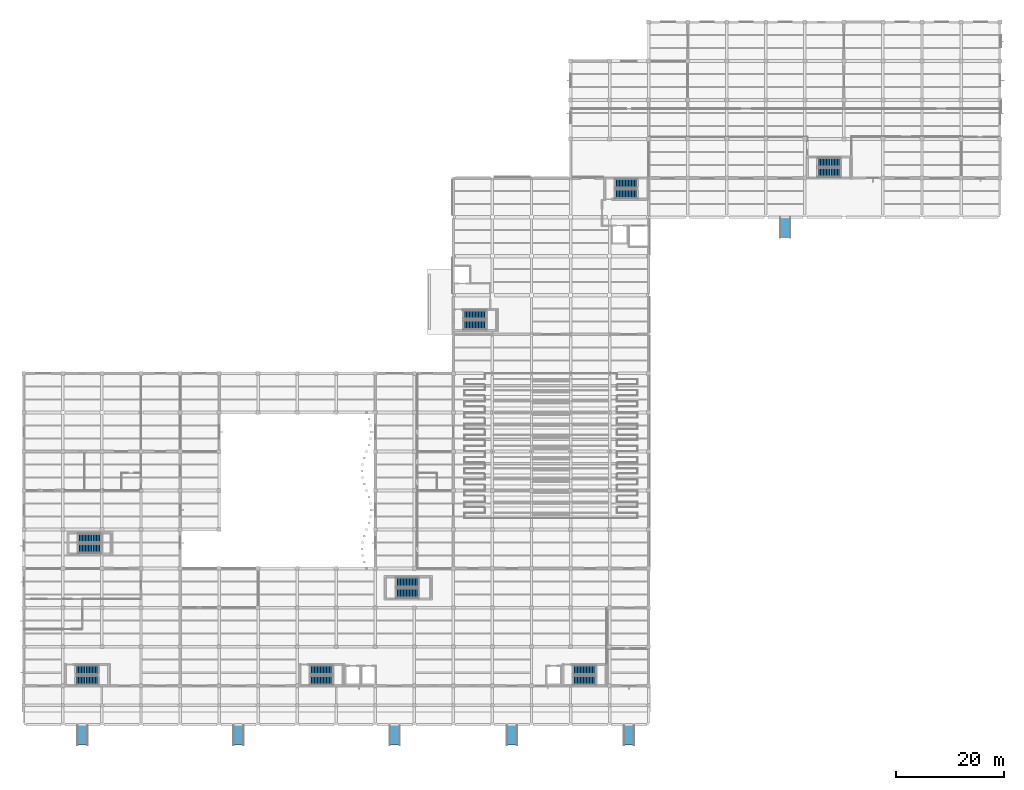
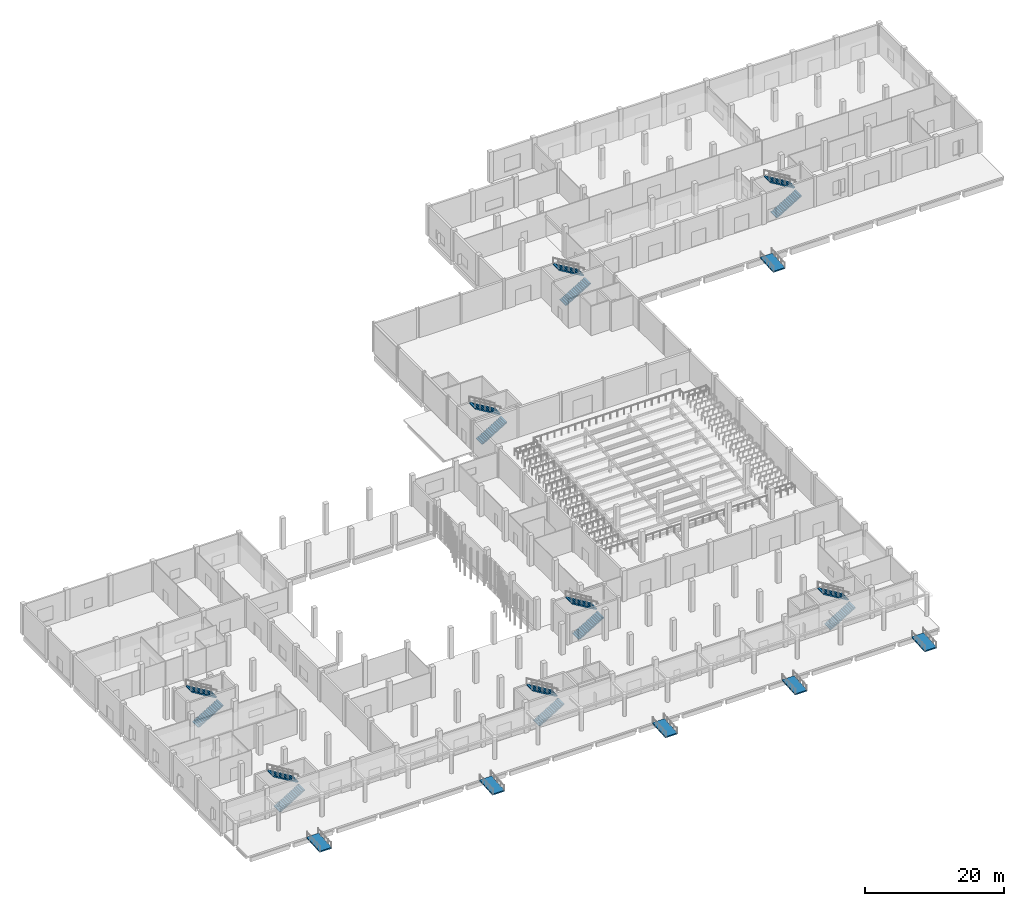
# One storey, part 31 of 46: 16 stair flights, 6 ramp flights, 14 elements without a shape of their own.
"""IFC4 building model written with IfcOpenShell, lengths in metres."""

from ifc_helpers import new_model, si_unit, direction, frame, origin, place, context, subcontext, project, spatial, polyline, outline, extrude, material, layer, layer_set, type_object, element, aggregate, save


model = new_model("IFC4")

# Units and contexts
model_context = context("Model", 3, precision=1e-05, world=origin(), true_north=direction((0.0, 1.0)))
body_context = subcontext(model_context, "Body", "Model", "MODEL_VIEW")
ifc_project = project(units=[si_unit("LENGTHUNIT", "METRE"), si_unit("AREAUNIT", "SQUARE_METRE"), si_unit("VOLUMEUNIT", "CUBIC_METRE"), si_unit("PLANEANGLEUNIT", "RADIAN"), si_unit("MASSUNIT", "GRAM", prefix="KILO"), si_unit("THERMODYNAMICTEMPERATUREUNIT", "KELVIN"), si_unit("POWERUNIT", "WATT")], contexts=[model_context])

# Site, building, storey
site_placement = place(None, origin())
site = spatial("IfcSite", under=ifc_project, at=site_placement, CompositionType="ELEMENT")
building_placement = place(site_placement, origin())
building = spatial("IfcBuilding", under=site, at=building_placement, Name="Kaldorven Railside Theatre", CompositionType="ELEMENT")
storey_placement = place(building_placement, origin())
storey = spatial("IfcBuildingStorey", under=building, at=storey_placement, Name="L00", CompositionType="ELEMENT", Elevation=0.0)

# Stair, stair flights
ifc_material = material(Name="Concrete C35/45", Category="concrete")
stair_type_1 = type_object("IfcStairType", Name="STR-DL-02", PredefinedType="HALF_TURN_STAIR", material=ifc_material)
stair_1_placement = place(storey_placement, origin())
stair_1 = element("IfcStair", 1, at=stair_1_placement, inside=storey, type_object=stair_type_1, Name="L00 Core C-SW Escape Stair ST-01", PredefinedType="HALF_TURN_STAIR")
stair_flight_type_1 = type_object("IfcStairFlightType", Name="STF-DL-02", PredefinedType="STRAIGHT", material=ifc_material)
stair_flight_1_placement = place(storey_placement, frame((17.550048828125, 20.199951171875, 0.0), z_axis=(0.0, 0.0, 1.0), x_axis=(1.0, 0.0, 0.0)))
stair_flight_1 = element("IfcStairFlight", 2, at=stair_flight_1_placement, type_object=stair_flight_type_1, Name="ST-01 flight 1", NumberOfRisers=16, NumberOfTreads=15, PredefinedType="STRAIGHT", RiserHeight=0.16875, TreadLength=0.28, context=body_context, shape_type="SweptSolid", body=[
    extrude(outline(polyline([(0.0, 0.0), (0.0, 0.168701171875), (0.280029296875, 0.168701171875), (0.280029296875, 0.33740234375), (0.56005859375, 0.33740234375), (0.56005859375, 0.50634765625), (0.840087890625, 0.50634765625), (0.840087890625, 0.675048828125), (1.1201171875, 0.675048828125), (1.1201171875, 0.84375), (1.39990234375, 0.84375), (1.39990234375, 1.012451171875), (1.679931640625, 1.012451171875), (1.679931640625, 1.18115234375), (1.9599609375, 1.18115234375), (1.9599609375, 1.35009765625), (2.239990234375, 1.35009765625), (2.239990234375, 1.518798828125), (2.52001953125, 1.518798828125), (2.52001953125, 1.6875), (2.800048828125, 1.6875), (2.800048828125, 1.856201171875), (3.080078125, 1.856201171875), (3.080078125, 2.02490234375), (3.360107421875, 2.02490234375), (3.360107421875, 2.19384765625), (3.639892578125, 2.19384765625), (3.639892578125, 2.362548828125), (3.919921875, 2.362548828125), (3.919921875, 2.53125), (4.199951171875, 2.53125), (4.199951171875, 2.699951171875), (4.199951171875, 2.356201171875), (0.29052734375, 0.0), (0.0, 0.0)])), frame((0.0, 0.85009765625, 0.0), z_axis=(0.0, -1.0, 0.0), x_axis=(1.0, 0.0, 0.0)), (0.0, 0.0, 1.0), 1.699951171875),
])
stair_flight_2_placement = place(storey_placement, frame((21.75, 22.10009765625, 2.699951171875), z_axis=(0.0, 0.0, 1.0), x_axis=(-1.0, 0.0, 0.0)))
stair_flight_2 = element("IfcStairFlight", 3, at=stair_flight_2_placement, type_object=stair_flight_type_1, Name="ST-01 flight 2", NumberOfRisers=16, NumberOfTreads=15, PredefinedType="STRAIGHT", RiserHeight=0.16875, TreadLength=0.28, context=body_context, shape_type="SweptSolid", body=[
    extrude(outline(polyline([(0.0, 0.0), (0.0, 0.168701171875), (0.280029296875, 0.168701171875), (0.280029296875, 0.33740234375), (0.56005859375, 0.33740234375), (0.56005859375, 0.50634765625), (0.840087890625, 0.50634765625), (0.840087890625, 0.675048828125), (1.1201171875, 0.675048828125), (1.1201171875, 0.84375), (1.39990234375, 0.84375), (1.39990234375, 1.012451171875), (1.679931640625, 1.012451171875), (1.679931640625, 1.18115234375), (1.9599609375, 1.18115234375), (1.9599609375, 1.35009765625), (2.239990234375, 1.35009765625), (2.239990234375, 1.518798828125), (2.52001953125, 1.518798828125), (2.52001953125, 1.6875), (2.800048828125, 1.6875), (2.800048828125, 1.856201171875), (3.080078125, 1.856201171875), (3.080078125, 2.02490234375), (3.360107421875, 2.02490234375), (3.360107421875, 2.19384765625), (3.639892578125, 2.19384765625), (3.639892578125, 2.362548828125), (3.919921875, 2.362548828125), (3.919921875, 2.53125), (4.199951171875, 2.53125), (4.199951171875, 2.699951171875), (4.199951171875, 2.356201171875), (0.29052734375, 0.0), (0.0, 0.0)])), frame((0.0, 0.85009765625, 0.0), z_axis=(0.0, -1.0, 0.0), x_axis=(1.0, 0.0, 0.0)), (0.0, 0.0, 1.0), 1.699951171875),
])
aggregate(stair_1, [stair_flight_1, stair_flight_2])

stair_2_placement = place(storey_placement, origin())
stair_2 = element("IfcStair", 4, at=stair_2_placement, inside=storey, type_object=stair_type_1, Name="L00 Core C-NW Escape Stair ST-02", PredefinedType="HALF_TURN_STAIR")
stair_flight_3_placement = place(storey_placement, frame((18.0, 44.5, 0.0), z_axis=(0.0, 0.0, 1.0), x_axis=(1.0, 0.0, 0.0)))
stair_flight_3 = element("IfcStairFlight", 5, at=stair_flight_3_placement, type_object=stair_flight_type_1, Name="ST-02 flight 1", NumberOfRisers=16, NumberOfTreads=15, PredefinedType="STRAIGHT", RiserHeight=0.16875, TreadLength=0.28, context=body_context, shape_type="SweptSolid", body=[
    extrude(outline(polyline([(0.0, 0.0), (0.0, 0.168701171875), (0.280029296875, 0.168701171875), (0.280029296875, 0.33740234375), (0.56005859375, 0.33740234375), (0.56005859375, 0.50634765625), (0.840087890625, 0.50634765625), (0.840087890625, 0.675048828125), (1.1201171875, 0.675048828125), (1.1201171875, 0.84375), (1.39990234375, 0.84375), (1.39990234375, 1.012451171875), (1.679931640625, 1.012451171875), (1.679931640625, 1.18115234375), (1.9599609375, 1.18115234375), (1.9599609375, 1.35009765625), (2.239990234375, 1.35009765625), (2.239990234375, 1.518798828125), (2.52001953125, 1.518798828125), (2.52001953125, 1.6875), (2.800048828125, 1.6875), (2.800048828125, 1.856201171875), (3.080078125, 1.856201171875), (3.080078125, 2.02490234375), (3.360107421875, 2.02490234375), (3.360107421875, 2.19384765625), (3.639892578125, 2.19384765625), (3.639892578125, 2.362548828125), (3.919921875, 2.362548828125), (3.919921875, 2.53125), (4.199951171875, 2.53125), (4.199951171875, 2.699951171875), (4.199951171875, 2.356201171875), (0.29052734375, 0.0), (0.0, 0.0)])), frame((0.0, 0.85009765625, 0.0), z_axis=(0.0, -1.0, 0.0), x_axis=(1.0, 0.0, 0.0)), (0.0, 0.0, 1.0), 1.699951171875),
])
stair_flight_4_placement = place(storey_placement, frame((22.199951171875, 46.39990234375, 2.699951171875), z_axis=(0.0, 0.0, 1.0), x_axis=(-1.0, 0.0, 0.0)))
stair_flight_4 = element("IfcStairFlight", 6, at=stair_flight_4_placement, type_object=stair_flight_type_1, Name="ST-02 flight 2", NumberOfRisers=16, NumberOfTreads=15, PredefinedType="STRAIGHT", RiserHeight=0.16875, TreadLength=0.28, context=body_context, shape_type="SweptSolid", body=[
    extrude(outline(polyline([(0.0, 0.0), (0.0, 0.168701171875), (0.280029296875, 0.168701171875), (0.280029296875, 0.33740234375), (0.56005859375, 0.33740234375), (0.56005859375, 0.50634765625), (0.840087890625, 0.50634765625), (0.840087890625, 0.675048828125), (1.1201171875, 0.675048828125), (1.1201171875, 0.84375), (1.39990234375, 0.84375), (1.39990234375, 1.012451171875), (1.679931640625, 1.012451171875), (1.679931640625, 1.18115234375), (1.9599609375, 1.18115234375), (1.9599609375, 1.35009765625), (2.239990234375, 1.35009765625), (2.239990234375, 1.518798828125), (2.52001953125, 1.518798828125), (2.52001953125, 1.6875), (2.800048828125, 1.6875), (2.800048828125, 1.856201171875), (3.080078125, 1.856201171875), (3.080078125, 2.02490234375), (3.360107421875, 2.02490234375), (3.360107421875, 2.19384765625), (3.639892578125, 2.19384765625), (3.639892578125, 2.362548828125), (3.919921875, 2.362548828125), (3.919921875, 2.53125), (4.199951171875, 2.53125), (4.199951171875, 2.699951171875), (4.199951171875, 2.356201171875), (0.29052734375, 0.0), (0.0, 0.0)])), frame((0.0, 0.85009765625, 0.0), z_axis=(0.0, -1.0, 0.0), x_axis=(1.0, 0.0, 0.0)), (0.0, 0.0, 1.0), 1.699951171875),
])
aggregate(stair_2, [stair_flight_3, stair_flight_4])

stair_3_placement = place(storey_placement, origin())
stair_3 = element("IfcStair", 7, at=stair_3_placement, inside=storey, type_object=stair_type_1, Name="L00 Core C-FS Escape Stair ST-03", PredefinedType="HALF_TURN_STAIR")
stair_flight_5_placement = place(storey_placement, frame((60.75, 20.199951171875, 0.0), z_axis=(0.0, 0.0, 1.0), x_axis=(1.0, 0.0, 0.0)))
stair_flight_5 = element("IfcStairFlight", 8, at=stair_flight_5_placement, type_object=stair_flight_type_1, Name="ST-03 flight 1", NumberOfRisers=16, NumberOfTreads=15, PredefinedType="STRAIGHT", RiserHeight=0.16875, TreadLength=0.28, context=body_context, shape_type="SweptSolid", body=[
    extrude(outline(polyline([(0.0, 0.0), (0.0, 0.168701171875), (0.280029296875, 0.168701171875), (0.280029296875, 0.33740234375), (0.56005859375, 0.33740234375), (0.56005859375, 0.50634765625), (0.840087890625, 0.50634765625), (0.840087890625, 0.675048828125), (1.1201171875, 0.675048828125), (1.1201171875, 0.84375), (1.39990234375, 0.84375), (1.39990234375, 1.012451171875), (1.679931640625, 1.012451171875), (1.679931640625, 1.18115234375), (1.9599609375, 1.18115234375), (1.9599609375, 1.35009765625), (2.239990234375, 1.35009765625), (2.239990234375, 1.518798828125), (2.52001953125, 1.518798828125), (2.52001953125, 1.6875), (2.800048828125, 1.6875), (2.800048828125, 1.856201171875), (3.080078125, 1.856201171875), (3.080078125, 2.02490234375), (3.360107421875, 2.02490234375), (3.360107421875, 2.19384765625), (3.639892578125, 2.19384765625), (3.639892578125, 2.362548828125), (3.919921875, 2.362548828125), (3.919921875, 2.53125), (4.199951171875, 2.53125), (4.199951171875, 2.699951171875), (4.199951171875, 2.356201171875), (0.29052734375, 0.0), (0.0, 0.0)])), frame((0.0, 0.85009765625, 0.0), z_axis=(0.0, -1.0, 0.0), x_axis=(1.0, 0.0, 0.0)), (0.0, 0.0, 1.0), 1.699951171875),
])
stair_flight_6_placement = place(storey_placement, frame((64.949951171875, 22.10009765625, 2.699951171875), z_axis=(0.0, 0.0, 1.0), x_axis=(-1.0, 0.0, 0.0)))
stair_flight_6 = element("IfcStairFlight", 9, at=stair_flight_6_placement, type_object=stair_flight_type_1, Name="ST-03 flight 2", NumberOfRisers=16, NumberOfTreads=15, PredefinedType="STRAIGHT", RiserHeight=0.16875, TreadLength=0.28, context=body_context, shape_type="SweptSolid", body=[
    extrude(outline(polyline([(0.0, 0.0), (0.0, 0.168701171875), (0.280029296875, 0.168701171875), (0.280029296875, 0.33740234375), (0.56005859375, 0.33740234375), (0.56005859375, 0.50634765625), (0.840087890625, 0.50634765625), (0.840087890625, 0.675048828125), (1.1201171875, 0.675048828125), (1.1201171875, 0.84375), (1.39990234375, 0.84375), (1.39990234375, 1.012451171875), (1.679931640625, 1.012451171875), (1.679931640625, 1.18115234375), (1.9599609375, 1.18115234375), (1.9599609375, 1.35009765625), (2.239990234375, 1.35009765625), (2.239990234375, 1.518798828125), (2.52001953125, 1.518798828125), (2.52001953125, 1.6875), (2.800048828125, 1.6875), (2.800048828125, 1.856201171875), (3.080078125, 1.856201171875), (3.080078125, 2.02490234375), (3.360107421875, 2.02490234375), (3.360107421875, 2.19384765625), (3.639892578125, 2.19384765625), (3.639892578125, 2.362548828125), (3.919921875, 2.362548828125), (3.919921875, 2.53125), (4.199951171875, 2.53125), (4.199951171875, 2.699951171875), (4.199951171875, 2.356201171875), (0.29052734375, 0.0), (0.0, 0.0)])), frame((0.0, 0.85009765625, 0.0), z_axis=(0.0, -1.0, 0.0), x_axis=(1.0, 0.0, 0.0)), (0.0, 0.0, 1.0), 1.699951171875),
])
aggregate(stair_3, [stair_flight_5, stair_flight_6])

stair_4_placement = place(storey_placement, origin())
stair_4 = element("IfcStair", 10, at=stair_4_placement, inside=storey, type_object=stair_type_1, Name="L00 Core C-SE Escape Stair ST-04", PredefinedType="HALF_TURN_STAIR")
stair_flight_7_placement = place(storey_placement, frame((109.25, 20.199951171875, 0.0), z_axis=(0.0, 0.0, 1.0), x_axis=(1.0, 0.0, 0.0)))
stair_flight_7 = element("IfcStairFlight", 11, at=stair_flight_7_placement, type_object=stair_flight_type_1, Name="ST-04 flight 1", NumberOfRisers=16, NumberOfTreads=15, PredefinedType="STRAIGHT", RiserHeight=0.16875, TreadLength=0.28, context=body_context, shape_type="SweptSolid", body=[
    extrude(outline(polyline([(0.0, 0.0), (0.0, 0.168701171875), (0.280029296875, 0.168701171875), (0.280029296875, 0.33740234375), (0.56005859375, 0.33740234375), (0.56005859375, 0.50634765625), (0.840087890625, 0.50634765625), (0.840087890625, 0.675048828125), (1.1201171875, 0.675048828125), (1.1201171875, 0.84375), (1.39990234375, 0.84375), (1.39990234375, 1.012451171875), (1.679931640625, 1.012451171875), (1.679931640625, 1.18115234375), (1.9599609375, 1.18115234375), (1.9599609375, 1.35009765625), (2.239990234375, 1.35009765625), (2.239990234375, 1.518798828125), (2.52001953125, 1.518798828125), (2.52001953125, 1.6875), (2.800048828125, 1.6875), (2.800048828125, 1.856201171875), (3.080078125, 1.856201171875), (3.080078125, 2.02490234375), (3.360107421875, 2.02490234375), (3.360107421875, 2.19384765625), (3.639892578125, 2.19384765625), (3.639892578125, 2.362548828125), (3.919921875, 2.362548828125), (3.919921875, 2.53125), (4.199951171875, 2.53125), (4.199951171875, 2.699951171875), (4.199951171875, 2.356201171875), (0.29052734375, 0.0), (0.0, 0.0)])), frame((0.0, 0.85009765625, 0.0), z_axis=(0.0, -1.0, 0.0), x_axis=(1.0, 0.0, 0.0)), (0.0, 0.0, 1.0), 1.699951171875),
])
stair_flight_8_placement = place(storey_placement, frame((113.449951171875, 22.10009765625, 2.699951171875), z_axis=(0.0, 0.0, 1.0), x_axis=(-1.0, 0.0, 0.0)))
stair_flight_8 = element("IfcStairFlight", 12, at=stair_flight_8_placement, type_object=stair_flight_type_1, Name="ST-04 flight 2", NumberOfRisers=16, NumberOfTreads=15, PredefinedType="STRAIGHT", RiserHeight=0.16875, TreadLength=0.28, context=body_context, shape_type="SweptSolid", body=[
    extrude(outline(polyline([(0.0, 0.0), (0.0, 0.168701171875), (0.280029296875, 0.168701171875), (0.280029296875, 0.33740234375), (0.56005859375, 0.33740234375), (0.56005859375, 0.50634765625), (0.840087890625, 0.50634765625), (0.840087890625, 0.675048828125), (1.1201171875, 0.675048828125), (1.1201171875, 0.84375), (1.39990234375, 0.84375), (1.39990234375, 1.012451171875), (1.679931640625, 1.012451171875), (1.679931640625, 1.18115234375), (1.9599609375, 1.18115234375), (1.9599609375, 1.35009765625), (2.239990234375, 1.35009765625), (2.239990234375, 1.518798828125), (2.52001953125, 1.518798828125), (2.52001953125, 1.6875), (2.800048828125, 1.6875), (2.800048828125, 1.856201171875), (3.080078125, 1.856201171875), (3.080078125, 2.02490234375), (3.360107421875, 2.02490234375), (3.360107421875, 2.19384765625), (3.639892578125, 2.19384765625), (3.639892578125, 2.362548828125), (3.919921875, 2.362548828125), (3.919921875, 2.53125), (4.199951171875, 2.53125), (4.199951171875, 2.699951171875), (4.199951171875, 2.356201171875), (0.29052734375, 0.0), (0.0, 0.0)])), frame((0.0, 0.85009765625, 0.0), z_axis=(0.0, -1.0, 0.0), x_axis=(1.0, 0.0, 0.0)), (0.0, 0.0, 1.0), 1.699951171875),
])
aggregate(stair_4, [stair_flight_7, stair_flight_8])

stair_5_placement = place(storey_placement, origin())
stair_5 = element("IfcStair", 13, at=stair_5_placement, inside=storey, type_object=stair_type_1, Name="L00 Core C-STW Escape Stair ST-05", PredefinedType="HALF_TURN_STAIR")
stair_flight_9_placement = place(storey_placement, frame((89.050048828125, 85.699951171875, 0.0), z_axis=(0.0, 0.0, 1.0), x_axis=(1.0, 0.0, 0.0)))
stair_flight_9 = element("IfcStairFlight", 14, at=stair_flight_9_placement, type_object=stair_flight_type_1, Name="ST-05 flight 1", NumberOfRisers=16, NumberOfTreads=15, PredefinedType="STRAIGHT", RiserHeight=0.16875, TreadLength=0.28, context=body_context, shape_type="SweptSolid", body=[
    extrude(outline(polyline([(0.0, 0.0), (0.0, 0.168701171875), (0.280029296875, 0.168701171875), (0.280029296875, 0.33740234375), (0.56005859375, 0.33740234375), (0.56005859375, 0.50634765625), (0.840087890625, 0.50634765625), (0.840087890625, 0.675048828125), (1.1201171875, 0.675048828125), (1.1201171875, 0.84375), (1.39990234375, 0.84375), (1.39990234375, 1.012451171875), (1.679931640625, 1.012451171875), (1.679931640625, 1.18115234375), (1.9599609375, 1.18115234375), (1.9599609375, 1.35009765625), (2.239990234375, 1.35009765625), (2.239990234375, 1.518798828125), (2.52001953125, 1.518798828125), (2.52001953125, 1.6875), (2.800048828125, 1.6875), (2.800048828125, 1.856201171875), (3.080078125, 1.856201171875), (3.080078125, 2.02490234375), (3.360107421875, 2.02490234375), (3.360107421875, 2.19384765625), (3.639892578125, 2.19384765625), (3.639892578125, 2.362548828125), (3.919921875, 2.362548828125), (3.919921875, 2.53125), (4.199951171875, 2.53125), (4.199951171875, 2.699951171875), (4.199951171875, 2.356201171875), (0.29052734375, 0.0), (0.0, 0.0)])), frame((0.0, 0.85009765625, 0.0), z_axis=(0.0, -1.0, 0.0), x_axis=(1.0, 0.0, 0.0)), (0.0, 0.0, 1.0), 1.699951171875),
])
stair_flight_10_placement = place(storey_placement, frame((93.25, 87.60009765625, 2.699951171875), z_axis=(0.0, 0.0, 1.0), x_axis=(-1.0, 0.0, 0.0)))
stair_flight_10 = element("IfcStairFlight", 15, at=stair_flight_10_placement, type_object=stair_flight_type_1, Name="ST-05 flight 2", NumberOfRisers=16, NumberOfTreads=15, PredefinedType="STRAIGHT", RiserHeight=0.16875, TreadLength=0.28, context=body_context, shape_type="SweptSolid", body=[
    extrude(outline(polyline([(0.0, 0.0), (0.0, 0.168701171875), (0.280029296875, 0.168701171875), (0.280029296875, 0.33740234375), (0.56005859375, 0.33740234375), (0.56005859375, 0.50634765625), (0.840087890625, 0.50634765625), (0.840087890625, 0.675048828125), (1.1201171875, 0.675048828125), (1.1201171875, 0.84375), (1.39990234375, 0.84375), (1.39990234375, 1.012451171875), (1.679931640625, 1.012451171875), (1.679931640625, 1.18115234375), (1.9599609375, 1.18115234375), (1.9599609375, 1.35009765625), (2.239990234375, 1.35009765625), (2.239990234375, 1.518798828125), (2.52001953125, 1.518798828125), (2.52001953125, 1.6875), (2.800048828125, 1.6875), (2.800048828125, 1.856201171875), (3.080078125, 1.856201171875), (3.080078125, 2.02490234375), (3.360107421875, 2.02490234375), (3.360107421875, 2.19384765625), (3.639892578125, 2.19384765625), (3.639892578125, 2.362548828125), (3.919921875, 2.362548828125), (3.919921875, 2.53125), (4.199951171875, 2.53125), (4.199951171875, 2.699951171875), (4.199951171875, 2.356201171875), (0.29052734375, 0.0), (0.0, 0.0)])), frame((0.0, 0.85009765625, 0.0), z_axis=(0.0, -1.0, 0.0), x_axis=(1.0, 0.0, 0.0)), (0.0, 0.0, 1.0), 1.699951171875),
])
aggregate(stair_5, [stair_flight_9, stair_flight_10])

stair_6_placement = place(storey_placement, origin())
stair_6 = element("IfcStair", 16, at=stair_6_placement, inside=storey, type_object=stair_type_1, Name="L00 Core C-STE Escape Stair ST-06", PredefinedType="HALF_TURN_STAIR")
stair_flight_11_placement = place(storey_placement, frame((116.949951171875, 109.89990234375, 0.0), z_axis=(0.0, 0.0, 1.0), x_axis=(1.0, 0.0, 0.0)))
stair_flight_11 = element("IfcStairFlight", 17, at=stair_flight_11_placement, type_object=stair_flight_type_1, Name="ST-06 flight 1", NumberOfRisers=16, NumberOfTreads=15, PredefinedType="STRAIGHT", RiserHeight=0.16875, TreadLength=0.28, context=body_context, shape_type="SweptSolid", body=[
    extrude(outline(polyline([(0.0, 0.0), (0.0, 0.168701171875), (0.280029296875, 0.168701171875), (0.280029296875, 0.33740234375), (0.56005859375, 0.33740234375), (0.56005859375, 0.50634765625), (0.840087890625, 0.50634765625), (0.840087890625, 0.675048828125), (1.1201171875, 0.675048828125), (1.1201171875, 0.84375), (1.39990234375, 0.84375), (1.39990234375, 1.012451171875), (1.679931640625, 1.012451171875), (1.679931640625, 1.18115234375), (1.9599609375, 1.18115234375), (1.9599609375, 1.35009765625), (2.239990234375, 1.35009765625), (2.239990234375, 1.518798828125), (2.52001953125, 1.518798828125), (2.52001953125, 1.6875), (2.800048828125, 1.6875), (2.800048828125, 1.856201171875), (3.080078125, 1.856201171875), (3.080078125, 2.02490234375), (3.360107421875, 2.02490234375), (3.360107421875, 2.19384765625), (3.639892578125, 2.19384765625), (3.639892578125, 2.362548828125), (3.919921875, 2.362548828125), (3.919921875, 2.53125), (4.199951171875, 2.53125), (4.199951171875, 2.699951171875), (4.199951171875, 2.356201171875), (0.29052734375, 0.0), (0.0, 0.0)])), frame((0.0, 0.85009765625, 0.0), z_axis=(0.0, -1.0, 0.0), x_axis=(1.0, 0.0, 0.0)), (0.0, 0.0, 1.0), 1.699951171875),
])
stair_flight_12_placement = place(storey_placement, frame((121.14990234375, 111.800048828125, 2.699951171875), z_axis=(0.0, 0.0, 1.0), x_axis=(-1.0, 0.0, 0.0)))
stair_flight_12 = element("IfcStairFlight", 18, at=stair_flight_12_placement, type_object=stair_flight_type_1, Name="ST-06 flight 2", NumberOfRisers=16, NumberOfTreads=15, PredefinedType="STRAIGHT", RiserHeight=0.16875, TreadLength=0.28, context=body_context, shape_type="SweptSolid", body=[
    extrude(outline(polyline([(0.0, 0.0), (0.0, 0.168701171875), (0.280029296875, 0.168701171875), (0.280029296875, 0.33740234375), (0.56005859375, 0.33740234375), (0.56005859375, 0.50634765625), (0.840087890625, 0.50634765625), (0.840087890625, 0.675048828125), (1.1201171875, 0.675048828125), (1.1201171875, 0.84375), (1.39990234375, 0.84375), (1.39990234375, 1.012451171875), (1.679931640625, 1.012451171875), (1.679931640625, 1.18115234375), (1.9599609375, 1.18115234375), (1.9599609375, 1.35009765625), (2.239990234375, 1.35009765625), (2.239990234375, 1.518798828125), (2.52001953125, 1.518798828125), (2.52001953125, 1.6875), (2.800048828125, 1.6875), (2.800048828125, 1.856201171875), (3.080078125, 1.856201171875), (3.080078125, 2.02490234375), (3.360107421875, 2.02490234375), (3.360107421875, 2.19384765625), (3.639892578125, 2.19384765625), (3.639892578125, 2.362548828125), (3.919921875, 2.362548828125), (3.919921875, 2.53125), (4.199951171875, 2.53125), (4.199951171875, 2.699951171875), (4.199951171875, 2.356201171875), (0.29052734375, 0.0), (0.0, 0.0)])), frame((0.0, 0.85009765625, 0.0), z_axis=(0.0, -1.0, 0.0), x_axis=(1.0, 0.0, 0.0)), (0.0, 0.0, 1.0), 1.699951171875),
])
aggregate(stair_6, [stair_flight_11, stair_flight_12])

stair_7_placement = place(storey_placement, origin())
stair_7 = element("IfcStair", 19, at=stair_7_placement, inside=storey, type_object=stair_type_1, Name="L00 East Backstage Escape Stair", PredefinedType="HALF_TURN_STAIR")
stair_flight_13_placement = place(storey_placement, frame((154.35009765625, 113.800048828125, 0.0), z_axis=(0.0, 0.0, 1.0), x_axis=(1.0, 0.0, 0.0)))
stair_flight_13 = element("IfcStairFlight", 20, at=stair_flight_13_placement, type_object=stair_flight_type_1, Name="ST-08 flight 1", NumberOfRisers=16, NumberOfTreads=15, PredefinedType="STRAIGHT", RiserHeight=0.16875, TreadLength=0.28, context=body_context, shape_type="SweptSolid", body=[
    extrude(outline(polyline([(0.0, 0.0), (0.0, 0.168701171875), (0.280029296875, 0.168701171875), (0.280029296875, 0.33740234375), (0.56005859375, 0.33740234375), (0.56005859375, 0.50634765625), (0.840087890625, 0.50634765625), (0.840087890625, 0.675048828125), (1.1201171875, 0.675048828125), (1.1201171875, 0.84375), (1.39990234375, 0.84375), (1.39990234375, 1.012451171875), (1.679931640625, 1.012451171875), (1.679931640625, 1.18115234375), (1.9599609375, 1.18115234375), (1.9599609375, 1.35009765625), (2.239990234375, 1.35009765625), (2.239990234375, 1.518798828125), (2.52001953125, 1.518798828125), (2.52001953125, 1.6875), (2.800048828125, 1.6875), (2.800048828125, 1.856201171875), (3.080078125, 1.856201171875), (3.080078125, 2.02490234375), (3.360107421875, 2.02490234375), (3.360107421875, 2.19384765625), (3.639892578125, 2.19384765625), (3.639892578125, 2.362548828125), (3.919921875, 2.362548828125), (3.919921875, 2.53125), (4.199951171875, 2.53125), (4.199951171875, 2.699951171875), (4.199951171875, 2.356201171875), (0.29052734375, 0.0), (0.0, 0.0)])), frame((0.0, 0.85009765625, 0.0), z_axis=(0.0, -1.0, 0.0), x_axis=(1.0, 0.0, 0.0)), (0.0, 0.0, 1.0), 1.699951171875),
])
stair_flight_14_placement = place(storey_placement, frame((158.550048828125, 115.699951171875, 2.699951171875), z_axis=(0.0, 0.0, 1.0), x_axis=(-1.0, 0.0, 0.0)))
stair_flight_14 = element("IfcStairFlight", 21, at=stair_flight_14_placement, type_object=stair_flight_type_1, Name="ST-08 flight 2", NumberOfRisers=16, NumberOfTreads=15, PredefinedType="STRAIGHT", RiserHeight=0.16875, TreadLength=0.28, context=body_context, shape_type="SweptSolid", body=[
    extrude(outline(polyline([(0.0, 0.0), (0.0, 0.168701171875), (0.280029296875, 0.168701171875), (0.280029296875, 0.33740234375), (0.56005859375, 0.33740234375), (0.56005859375, 0.50634765625), (0.840087890625, 0.50634765625), (0.840087890625, 0.675048828125), (1.1201171875, 0.675048828125), (1.1201171875, 0.84375), (1.39990234375, 0.84375), (1.39990234375, 1.012451171875), (1.679931640625, 1.012451171875), (1.679931640625, 1.18115234375), (1.9599609375, 1.18115234375), (1.9599609375, 1.35009765625), (2.239990234375, 1.35009765625), (2.239990234375, 1.518798828125), (2.52001953125, 1.518798828125), (2.52001953125, 1.6875), (2.800048828125, 1.6875), (2.800048828125, 1.856201171875), (3.080078125, 1.856201171875), (3.080078125, 2.02490234375), (3.360107421875, 2.02490234375), (3.360107421875, 2.19384765625), (3.639892578125, 2.19384765625), (3.639892578125, 2.362548828125), (3.919921875, 2.362548828125), (3.919921875, 2.53125), (4.199951171875, 2.53125), (4.199951171875, 2.699951171875), (4.199951171875, 2.356201171875), (0.29052734375, 0.0), (0.0, 0.0)])), frame((0.0, 0.85009765625, 0.0), z_axis=(0.0, -1.0, 0.0), x_axis=(1.0, 0.0, 0.0)), (0.0, 0.0, 1.0), 1.699951171875),
])
aggregate(stair_7, [stair_flight_13, stair_flight_14])

stair_type_2 = type_object("IfcStairType", Name="STR-DL-05", PredefinedType="HALF_TURN_STAIR", material=ifc_material)
stair_8_placement = place(storey_placement, origin())
stair_8 = element("IfcStair", 22, at=stair_8_placement, inside=storey, type_object=stair_type_2, Name="L00 Grand Foyer Ceremonial Stair", PredefinedType="HALF_TURN_STAIR")
stair_flight_type_2 = type_object("IfcStairFlightType", Name="STF-DL-05", PredefinedType="STRAIGHT", material=ifc_material)
stair_flight_15_placement = place(storey_placement, frame((76.60009765625, 36.25, 0.0), z_axis=(0.0, 0.0, 1.0), x_axis=(1.0, 0.0, 0.0)))
stair_flight_15 = element("IfcStairFlight", 23, at=stair_flight_15_placement, type_object=stair_flight_type_2, Name="ST-07 flight 1", NumberOfRisers=16, NumberOfTreads=15, PredefinedType="STRAIGHT", RiserHeight=0.16875, TreadLength=0.28, context=body_context, shape_type="SweptSolid", body=[
    extrude(outline(polyline([(0.0, 0.0), (0.0, 0.168701171875), (0.280029296875, 0.168701171875), (0.280029296875, 0.33740234375), (0.56005859375, 0.33740234375), (0.56005859375, 0.50634765625), (0.840087890625, 0.50634765625), (0.840087890625, 0.675048828125), (1.1201171875, 0.675048828125), (1.1201171875, 0.84375), (1.39990234375, 0.84375), (1.39990234375, 1.012451171875), (1.679931640625, 1.012451171875), (1.679931640625, 1.18115234375), (1.9599609375, 1.18115234375), (1.9599609375, 1.35009765625), (2.239990234375, 1.35009765625), (2.239990234375, 1.518798828125), (2.52001953125, 1.518798828125), (2.52001953125, 1.6875), (2.800048828125, 1.6875), (2.800048828125, 1.856201171875), (3.080078125, 1.856201171875), (3.080078125, 2.02490234375), (3.360107421875, 2.02490234375), (3.360107421875, 2.19384765625), (3.639892578125, 2.19384765625), (3.639892578125, 2.362548828125), (3.919921875, 2.362548828125), (3.919921875, 2.53125), (4.199951171875, 2.53125), (4.199951171875, 2.699951171875), (4.199951171875, 2.356201171875), (0.29052734375, 0.0), (0.0, 0.0)])), frame((0.0, 0.89990234375, 0.0), z_axis=(0.0, -1.0, 0.0), x_axis=(1.0, 0.0, 0.0)), (0.0, 0.0, 1.0), 1.800048828125),
])
stair_flight_16_placement = place(storey_placement, frame((80.800048828125, 38.25, 2.699951171875), z_axis=(0.0, 0.0, 1.0), x_axis=(-1.0, 0.0, 0.0)))
stair_flight_16 = element("IfcStairFlight", 24, at=stair_flight_16_placement, type_object=stair_flight_type_2, Name="ST-07 flight 2", NumberOfRisers=16, NumberOfTreads=15, PredefinedType="STRAIGHT", RiserHeight=0.16875, TreadLength=0.28, context=body_context, shape_type="SweptSolid", body=[
    extrude(outline(polyline([(0.0, 0.0), (0.0, 0.168701171875), (0.280029296875, 0.168701171875), (0.280029296875, 0.33740234375), (0.56005859375, 0.33740234375), (0.56005859375, 0.50634765625), (0.840087890625, 0.50634765625), (0.840087890625, 0.675048828125), (1.1201171875, 0.675048828125), (1.1201171875, 0.84375), (1.39990234375, 0.84375), (1.39990234375, 1.012451171875), (1.679931640625, 1.012451171875), (1.679931640625, 1.18115234375), (1.9599609375, 1.18115234375), (1.9599609375, 1.35009765625), (2.239990234375, 1.35009765625), (2.239990234375, 1.518798828125), (2.52001953125, 1.518798828125), (2.52001953125, 1.6875), (2.800048828125, 1.6875), (2.800048828125, 1.856201171875), (3.080078125, 1.856201171875), (3.080078125, 2.02490234375), (3.360107421875, 2.02490234375), (3.360107421875, 2.19384765625), (3.639892578125, 2.19384765625), (3.639892578125, 2.362548828125), (3.919921875, 2.362548828125), (3.919921875, 2.53125), (4.199951171875, 2.53125), (4.199951171875, 2.699951171875), (4.199951171875, 2.356201171875), (0.29052734375, 0.0), (0.0, 0.0)])), frame((0.0, 0.89990234375, 0.0), z_axis=(0.0, -1.0, 0.0), x_axis=(1.0, 0.0, 0.0)), (0.0, 0.0, 1.0), 1.800048828125),
])
aggregate(stair_8, [stair_flight_15, stair_flight_16])

# Ramp, ramp flight
ramp_type = type_object("IfcRampType", Name="RMP-PED-01", PredefinedType="USERDEFINED", material=ifc_material)
ramp_1_placement = place(storey_placement, origin())
ramp_1 = element("IfcRamp", 25, at=ramp_1_placement, inside=storey, type_object=ramp_type, Name="Step-Free Arrival Threshold Ramp RMP-01", ObjectType="PEDESTRIAN RAMP", PredefinedType="USERDEFINED")
ifc_layer = layer(ifc_material, 0.219970703125, Name="Concrete C35/45")
ifc_layer_set = layer_set([ifc_layer], Name="Concrete C35/45")
ramp_flight_type = type_object("IfcRampFlightType", Name="RMF-STR-01", PredefinedType="STRAIGHT", material=ifc_layer_set)
ramp_flight_1_placement = place(storey_placement, frame((17.800048828125, 8.260009765625, -0.25), z_axis=(0.0, -0.066519010524, 0.997785157857), x_axis=(1.0, 0.0, 0.0)))
ramp_flight_1 = element("IfcRampFlight", 26, at=ramp_flight_1_placement, type_object=ramp_flight_type, Name="Arrival Ramp Flight RMF-01", PredefinedType="STRAIGHT", context=body_context, shape_type="SweptSolid", body=[
    extrude(outline(polyline([(0.0, 0.0), (2.0, 0.0), (2.0, 3.758324094593227), (0.0, 3.758324094593227), (0.0, 0.0)])), origin(), (0.0, 0.0, -1.0), 0.219970703125),
])
aggregate(ramp_1, [ramp_flight_1])

ramp_2_placement = place(storey_placement, origin())
ramp_2 = element("IfcRamp", 27, at=ramp_2_placement, inside=storey, type_object=ramp_type, Name="Step-Free Arrival Threshold Ramp RMP-02", ObjectType="PEDESTRIAN RAMP", PredefinedType="USERDEFINED")
ramp_flight_2_placement = place(storey_placement, frame((46.60009765625, 8.260009765625, -0.25), z_axis=(0.0, -0.066519010524, 0.997785157857), x_axis=(1.0, 0.0, 0.0)))
ramp_flight_2 = element("IfcRampFlight", 28, at=ramp_flight_2_placement, type_object=ramp_flight_type, Name="Arrival Ramp Flight RMF-02", PredefinedType="STRAIGHT", context=body_context, shape_type="SweptSolid", body=[
    extrude(outline(polyline([(0.0, 0.0), (2.0, 0.0), (2.0, 3.758324094593227), (0.0, 3.758324094593227), (0.0, 0.0)])), origin(), (0.0, 0.0, -1.0), 0.219970703125),
])
aggregate(ramp_2, [ramp_flight_2])

ramp_3_placement = place(storey_placement, origin())
ramp_3 = element("IfcRamp", 29, at=ramp_3_placement, inside=storey, type_object=ramp_type, Name="Step-Free Arrival Threshold Ramp RMP-03", ObjectType="PEDESTRIAN RAMP", PredefinedType="USERDEFINED")
ramp_flight_3_placement = place(storey_placement, frame((75.39990234375, 8.260009765625, -0.25), z_axis=(0.0, -0.066519010524, 0.997785157857), x_axis=(1.0, 0.0, 0.0)))
ramp_flight_3 = element("IfcRampFlight", 30, at=ramp_flight_3_placement, type_object=ramp_flight_type, Name="Arrival Ramp Flight RMF-03", PredefinedType="STRAIGHT", context=body_context, shape_type="SweptSolid", body=[
    extrude(outline(polyline([(0.0, 0.0), (2.0, 0.0), (2.0, 3.758324094593227), (0.0, 3.758324094593227), (0.0, 0.0)])), origin(), (0.0, 0.0, -1.0), 0.219970703125),
])
aggregate(ramp_3, [ramp_flight_3])

ramp_4_placement = place(storey_placement, origin())
ramp_4 = element("IfcRamp", 31, at=ramp_4_placement, inside=storey, type_object=ramp_type, Name="Step-Free Arrival Threshold Ramp RMP-04", ObjectType="PEDESTRIAN RAMP", PredefinedType="USERDEFINED")
ramp_flight_4_placement = place(storey_placement, frame((97.0, 8.260009765625, -0.25), z_axis=(0.0, -0.066519010524, 0.997785157857), x_axis=(1.0, 0.0, 0.0)))
ramp_flight_4 = element("IfcRampFlight", 32, at=ramp_flight_4_placement, type_object=ramp_flight_type, Name="Arrival Ramp Flight RMF-04", PredefinedType="STRAIGHT", context=body_context, shape_type="SweptSolid", body=[
    extrude(outline(polyline([(0.0, 0.0), (2.0, 0.0), (2.0, 3.758324094593227), (0.0, 3.758324094593227), (0.0, 0.0)])), origin(), (0.0, 0.0, -1.0), 0.219970703125),
])
aggregate(ramp_4, [ramp_flight_4])

ramp_5_placement = place(storey_placement, origin())
ramp_5 = element("IfcRamp", 33, at=ramp_5_placement, inside=storey, type_object=ramp_type, Name="Step-Free Arrival Threshold Ramp RMP-05", ObjectType="PEDESTRIAN RAMP", PredefinedType="USERDEFINED")
ramp_flight_5_placement = place(storey_placement, frame((118.60009765625, 8.260009765625, -0.25), z_axis=(0.0, -0.066519010524, 0.997785157857), x_axis=(1.0, 0.0, 0.0)))
ramp_flight_5 = element("IfcRampFlight", 34, at=ramp_flight_5_placement, type_object=ramp_flight_type, Name="Arrival Ramp Flight RMF-05", PredefinedType="STRAIGHT", context=body_context, shape_type="SweptSolid", body=[
    extrude(outline(polyline([(0.0, 0.0), (2.0, 0.0), (2.0, 3.758324094593227), (0.0, 3.758324094593227), (0.0, 0.0)])), origin(), (0.0, 0.0, -1.0), 0.219970703125),
])
aggregate(ramp_5, [ramp_flight_5])

ramp_6_placement = place(storey_placement, origin())
ramp_6 = element("IfcRamp", 35, at=ramp_6_placement, inside=storey, type_object=ramp_type, Name="Step-Free Arrival Threshold Ramp RMP-06", ObjectType="PEDESTRIAN RAMP", PredefinedType="USERDEFINED")
ramp_flight_6_placement = place(storey_placement, frame((147.39990234375, 101.860107421875, -0.25), z_axis=(0.0, -0.066519010524, 0.997785157857), x_axis=(1.0, 0.0, 0.0)))
ramp_flight_6 = element("IfcRampFlight", 36, at=ramp_flight_6_placement, type_object=ramp_flight_type, Name="Arrival Ramp Flight RMF-06", PredefinedType="STRAIGHT", context=body_context, shape_type="SweptSolid", body=[
    extrude(outline(polyline([(0.0, 0.0), (2.0, 0.0), (2.0, 3.758324094593227), (0.0, 3.758324094593227), (0.0, 0.0)])), origin(), (0.0, 0.0, -1.0), 0.219970703125),
])
aggregate(ramp_6, [ramp_flight_6])

save(model, "model.ifc")
